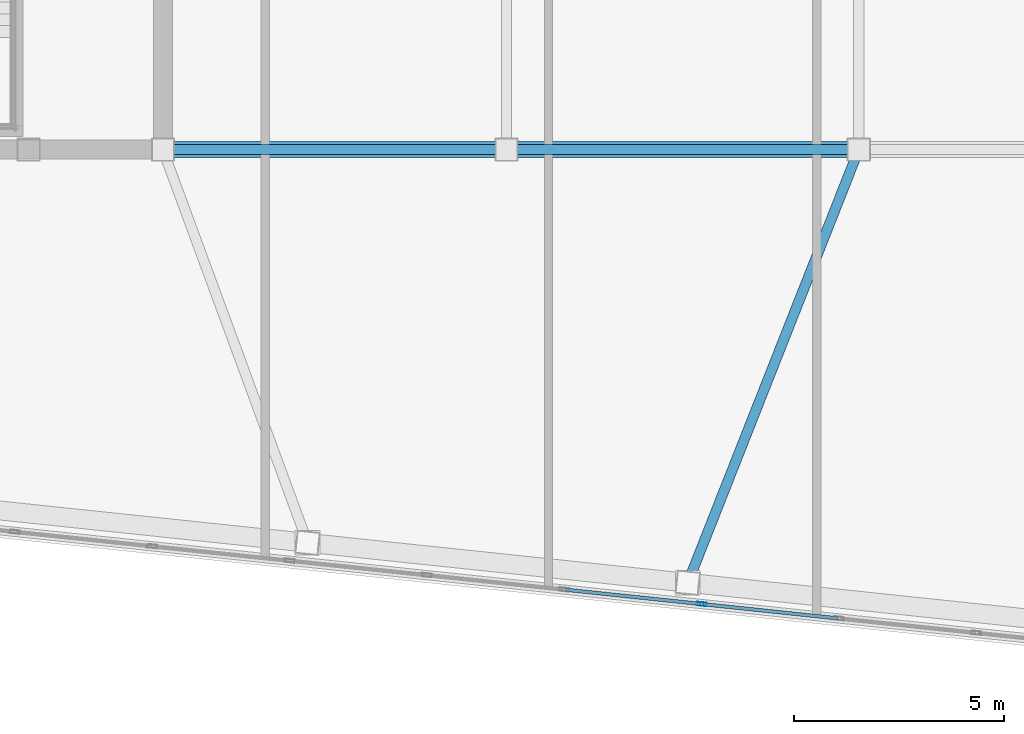
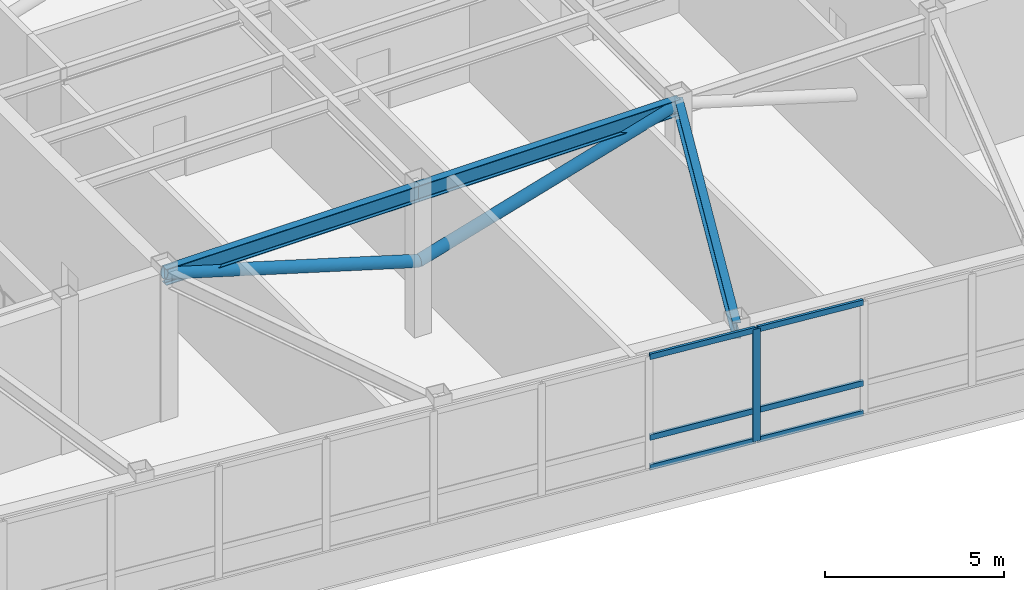
# One storey, part 5 of 23: 9 members, 3 beams, 1 element without a shape of its own.
"""IFC4 building model written with IfcOpenShell, lengths in metres."""

from ifc_helpers import new_model, si_unit, direction, frame, origin, origin_2d, place, context, subcontext, project, spatial, hollow_rectangle, hollow_circle, i_section, extrude, material, layer, layer_set, material_profile, profile_set, type_object, element, aggregate, save


model = new_model("IFC4")

# Units and contexts
model_context = context("Model", 3, precision=1e-05, world=origin(), true_north=direction((0.0, 1.0)))
body_context = subcontext(model_context, "Body", "Model", "MODEL_VIEW")
ifc_project = project(units=[si_unit("LENGTHUNIT", "METRE"), si_unit("AREAUNIT", "SQUARE_METRE"), si_unit("VOLUMEUNIT", "CUBIC_METRE"), si_unit("PLANEANGLEUNIT", "RADIAN"), si_unit("MASSUNIT", "GRAM", prefix="KILO")], contexts=[model_context])

# Site, building, storey
site_placement = place(None, origin())
site = spatial("IfcSite", under=ifc_project, at=site_placement, CompositionType="ELEMENT")
building_placement = place(site_placement, origin())
building = spatial("IfcBuilding", under=site, at=building_placement, Name="Voryun Gate Residences", CompositionType="ELEMENT")
storey_placement = place(building_placement, frame((0.0, 0.0, 331.89990234375)))
storey = spatial("IfcBuildingStorey", under=building, at=storey_placement, Name="L81", CompositionType="ELEMENT", Elevation=331.89990234375)

# Beams
ifc_material_1 = material(Name="Steel SM355", Category="steel")
ifc_material_profile_1 = material_profile(ifc_material_1, i_section(OverallWidth=0.239990234375, OverallDepth=0.550048828125, WebThickness=0.011962890625, FlangeThickness=0.02001953125, FilletRadius=0.01806640625, at=origin_2d()), Name="H-550x240x12x20")
ifc_profile_set_1 = profile_set([ifc_material_profile_1], Name="Steel SM355")
beam_type = type_object("IfcBeamType", Name="BM_GIRD_550", PredefinedType="USERDEFINED", material=ifc_profile_set_1)
beam_1_placement = place(storey_placement, frame((-12.39990234375, -7.39990234375, 4.75), z_axis=(1.0, 0.0, 0.0), x_axis=(0.0, 1.0, 0.0)))
element("IfcBeam", 1, at=beam_1_placement, inside=storey, type_object=beam_type, Name="BM-L81-SPG1-S", ObjectType="GIRDER", PredefinedType="USERDEFINED", context=body_context, shape_type="SweptSolid", body=[
    extrude(i_section(OverallWidth=0.239990234375, OverallDepth=0.550048828125, WebThickness=0.011962890625, FlangeThickness=0.02001953125, FilletRadius=0.01806640625, at=origin_2d()), origin(), (0.0, 0.0, 1.0), 8.199951171875),
])
beam_2_placement = place(storey_placement, frame((-4.199951171875, -7.39990234375, 4.75), z_axis=(1.0, 0.0, 0.0), x_axis=(0.0, 1.0, 0.0)))
element("IfcBeam", 2, at=beam_2_placement, inside=storey, type_object=beam_type, Name="BM-L81-SPG2-S", ObjectType="GIRDER", PredefinedType="USERDEFINED", context=body_context, shape_type="SweptSolid", body=[
    extrude(i_section(OverallWidth=0.239990234375, OverallDepth=0.550048828125, WebThickness=0.011962890625, FlangeThickness=0.02001953125, FilletRadius=0.01806640625, at=origin_2d()), origin(), (0.0, 0.0, 1.0), 8.39990234375),
])
beam_3_placement = place(storey_placement, frame((4.199951171875, -7.39990234375, 4.75), z_axis=(-0.367188053127, -0.930146726942, 0.0), x_axis=(0.930146726942, -0.367188053127, 0.0)))
element("IfcBeam", 3, at=beam_3_placement, inside=storey, type_object=beam_type, Name="BM-L81-RAD-S4", ObjectType="GIRDER", PredefinedType="USERDEFINED", context=body_context, shape_type="SweptSolid", body=[
    extrude(i_section(OverallWidth=0.239990234375, OverallDepth=0.550048828125, WebThickness=0.011962890625, FlangeThickness=0.02001953125, FilletRadius=0.01806640625, at=origin_2d()), origin(), (0.0, 0.0, 1.0), 11.107666015625),
])

# Curtain wall, members
ifc_material_2 = material(Name="Anodised aluminium", Category="aluminium")
ifc_layer = layer(ifc_material_2, 0.22998046875, Name="CW_SYS_LANTERN_DARK_GLASS")
ifc_layer_set = layer_set([ifc_layer], Name="Anodised aluminium")
curtain_wall_type = type_object("IfcCurtainWallType", Name="CW_SYS_LANTERN_DARK_GLASS", PredefinedType="NOTDEFINED", material=ifc_layer_set)
curtain_wall_placement = place(storey_placement, origin())
curtain_wall = element("IfcCurtainWall", 4, at=curtain_wall_placement, inside=storey, type_object=curtain_wall_type, Name="Curtain wall CW6-L81-01", PredefinedType="NOTDEFINED")
ifc_material_3 = material(Name="Anodised aluminium", Category="aluminium")
ifc_material_profile_2 = material_profile(ifc_material_3, hollow_rectangle(XDim=0.0849609375, YDim=0.22998046875, WallThickness=0.006103515625, at=origin_2d()), Name="ALU-MULL-230x85x6")
ifc_profile_set_2 = profile_set([ifc_material_profile_2], Name="Anodised aluminium")
member_type_1 = type_object("IfcMemberType", Name="CW_MULL_LANT", PredefinedType="MULLION", material=ifc_profile_set_2)
member_1_placement = place(storey_placement, frame((0.452392578125, -18.239013671875, 1.190185546875), z_axis=(0.0, 0.0, 1.0), x_axis=(-0.10452775858, -0.994521969434, 0.0)))
member_1 = element("IfcMember", 5, at=member_1_placement, type_object=member_type_1, Name="CW6 mullion 6", PredefinedType="MULLION", context=body_context, shape_type="SweptSolid", body=[
    extrude(hollow_rectangle(XDim=0.0849609375, YDim=0.22998046875, WallThickness=0.006103515625, at=origin_2d()), origin(), (0.0, 0.0, 1.0), 3.8349609375),
])
ifc_material_4 = material(Name="Anodised aluminium", Category="aluminium")
ifc_material_profile_3 = material_profile(ifc_material_4, hollow_rectangle(XDim=0.0849609375, YDim=0.18994140625, WallThickness=0.006103515625, at=origin_2d()), Name="ALU-TRAN-190x85x6")
ifc_profile_set_3 = profile_set([ifc_material_profile_3], Name="Anodised aluminium")
member_type_2 = type_object("IfcMemberType", Name="CW_TRAN_LANT", PredefinedType="USERDEFINED", material=ifc_profile_set_3)
member_2_placement = place(storey_placement, frame((3.698974609375, -18.580322265625, 1.22021484375), z_axis=(-0.994520745033, 0.104539407398, 0.0), x_axis=(-0.104539407398, -0.994520745033, 0.0)))
member_2 = element("IfcMember", 6, at=member_2_placement, type_object=member_type_2, Name="CW6 transom 5.1", ObjectType="TRANSOM", PredefinedType="USERDEFINED", context=body_context, shape_type="SweptSolid", body=[
    extrude(hollow_rectangle(XDim=0.0849609375, YDim=0.18994140625, WallThickness=0.006103515625, at=origin_2d()), origin(), (0.0, 0.0, 1.0), 3.234619140625),
])
member_3_placement = place(storey_placement, frame((3.698974609375, -18.580322265625, 2.239990234375), z_axis=(-0.994520745033, 0.104539407398, 0.0), x_axis=(-0.104539407398, -0.994520745033, 0.0)))
member_3 = element("IfcMember", 7, at=member_3_placement, type_object=member_type_2, Name="CW6 transom 5.2", ObjectType="TRANSOM", PredefinedType="USERDEFINED", context=body_context, shape_type="SweptSolid", body=[
    extrude(hollow_rectangle(XDim=0.0849609375, YDim=0.18994140625, WallThickness=0.006103515625, at=origin_2d()), origin(), (0.0, 0.0, 1.0), 3.234619140625),
])
member_4_placement = place(storey_placement, frame((3.698974609375, -18.580322265625, 4.9951171875), z_axis=(-0.994520745033, 0.104539407398, 0.0), x_axis=(-0.104539407398, -0.994520745033, 0.0)))
member_4 = element("IfcMember", 8, at=member_4_placement, type_object=member_type_2, Name="CW6 transom 5.3", ObjectType="TRANSOM", PredefinedType="USERDEFINED", context=body_context, shape_type="SweptSolid", body=[
    extrude(hollow_rectangle(XDim=0.0849609375, YDim=0.18994140625, WallThickness=0.006103515625, at=origin_2d()), origin(), (0.0, 0.0, 1.0), 3.234619140625),
])
member_5_placement = place(storey_placement, frame((0.42236328125, -18.23583984375, 1.22021484375), z_axis=(-0.994520745033, 0.104539407398, 0.0), x_axis=(-0.104539407398, -0.994520745033, 0.0)))
member_5 = element("IfcMember", 9, at=member_5_placement, type_object=member_type_2, Name="CW6 transom 6.1", ObjectType="TRANSOM", PredefinedType="USERDEFINED", context=body_context, shape_type="SweptSolid", body=[
    extrude(hollow_rectangle(XDim=0.0849609375, YDim=0.18994140625, WallThickness=0.006103515625, at=origin_2d()), origin(), (0.0, 0.0, 1.0), 3.234619140625),
])
member_6_placement = place(storey_placement, frame((0.42236328125, -18.23583984375, 2.239990234375), z_axis=(-0.994520745033, 0.104539407398, 0.0), x_axis=(-0.104539407398, -0.994520745033, 0.0)))
member_6 = element("IfcMember", 10, at=member_6_placement, type_object=member_type_2, Name="CW6 transom 6.2", ObjectType="TRANSOM", PredefinedType="USERDEFINED", context=body_context, shape_type="SweptSolid", body=[
    extrude(hollow_rectangle(XDim=0.0849609375, YDim=0.18994140625, WallThickness=0.006103515625, at=origin_2d()), origin(), (0.0, 0.0, 1.0), 3.234619140625),
])
member_7_placement = place(storey_placement, frame((0.42236328125, -18.23583984375, 4.9951171875), z_axis=(-0.994520745033, 0.104539407398, 0.0), x_axis=(-0.104539407398, -0.994520745033, 0.0)))
member_7 = element("IfcMember", 11, at=member_7_placement, type_object=member_type_2, Name="CW6 transom 6.3", ObjectType="TRANSOM", PredefinedType="USERDEFINED", context=body_context, shape_type="SweptSolid", body=[
    extrude(hollow_rectangle(XDim=0.0849609375, YDim=0.18994140625, WallThickness=0.006103515625, at=origin_2d()), origin(), (0.0, 0.0, 1.0), 3.234619140625),
])
aggregate(curtain_wall, [member_1, member_2, member_3, member_4, member_5, member_6, member_7])

# Members
ifc_material_5 = material(Name="Steel SM355", Category="steel")
ifc_material_profile_4 = material_profile(ifc_material_5, hollow_circle(Radius=0.18994140625, WallThickness=0.01806640625, at=origin_2d()), Name="CHS-380x18")
ifc_profile_set_4 = profile_set([ifc_material_profile_4], Name="Steel SM355")
member_type_3 = type_object("IfcMemberType", Name="MBR_CROWN_DIAGRID", PredefinedType="BRACE", material=ifc_profile_set_4)
member_8_placement = place(storey_placement, frame((-4.199951171875, -7.39990234375, 2.380126953125), z_axis=(-0.957662114733, 0.0, 0.287894553621), x_axis=(0.0, -1.0, 0.0)))
element("IfcMember", 12, at=member_8_placement, inside=storey, type_object=member_type_3, Name="L81 Lantern Spine Diagrid Brace 01", PredefinedType="BRACE", context=body_context, shape_type="SweptSolid", body=[
    extrude(hollow_circle(Radius=0.18994140625, WallThickness=0.01806640625, at=origin_2d()), origin(), (0.0, 0.0, 1.0), 8.5625),
])
member_9_placement = place(storey_placement, frame((-4.199951171875, -7.39990234375, 2.380126953125), z_axis=(0.959534525743, 0.0, 0.281591004663), x_axis=(0.0, 1.0, 0.0)))
element("IfcMember", 13, at=member_9_placement, inside=storey, type_object=member_type_3, Name="L81 Lantern Spine Diagrid Brace 02", PredefinedType="BRACE", context=body_context, shape_type="SweptSolid", body=[
    extrude(hollow_circle(Radius=0.18994140625, WallThickness=0.01806640625, at=origin_2d()), origin(), (0.0, 0.0, 1.0), 8.754150390625),
])

save(model, "model.ifc")
